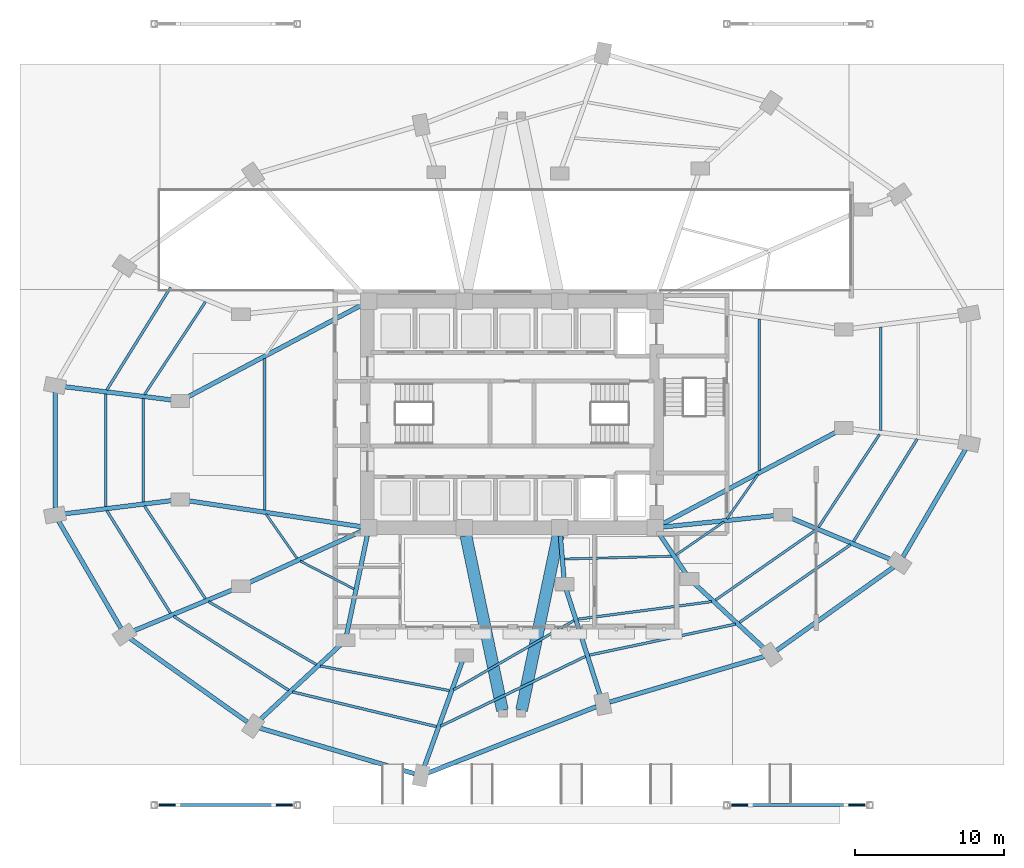
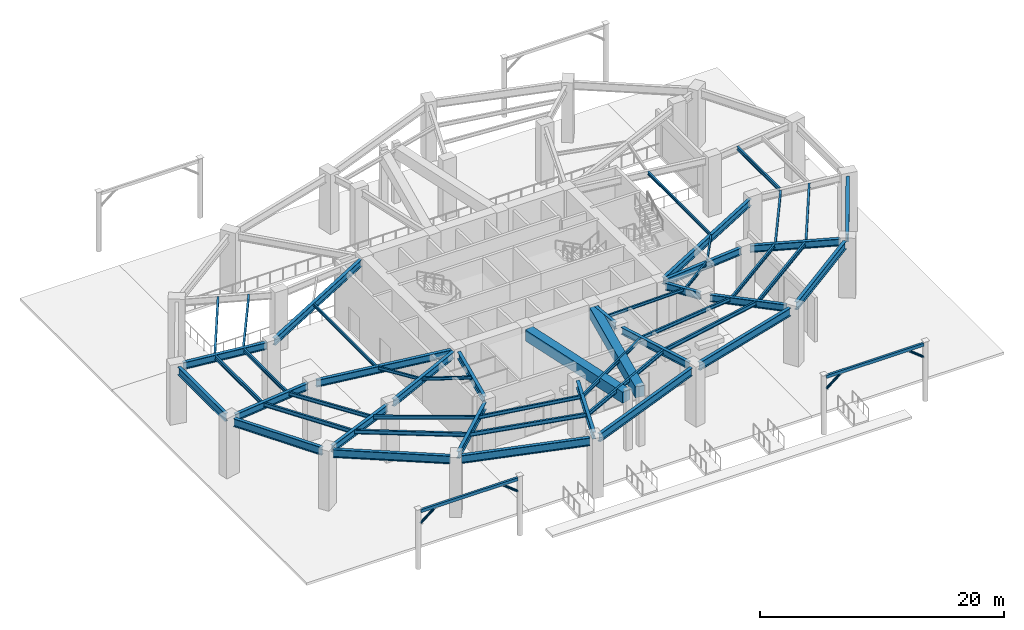
# One storey, part 5 of 14: 54 beams, 4 members.
"""IFC4 building model written with IfcOpenShell, lengths in metres."""

from ifc_helpers import new_model, si_unit, direction, frame, origin, origin_2d, place, context, subcontext, project, spatial, rectangle, hollow_rectangle, hollow_circle, i_section, extrude, material, material_profile, profile_set, type_object, element, save


model = new_model("IFC4")

# Units and contexts
model_context = context("Model", 3, precision=1e-05, world=origin(), true_north=direction((0.0, 1.0)))
body_context = subcontext(model_context, "Body", "Model", "MODEL_VIEW")
ifc_project = project(units=[si_unit("LENGTHUNIT", "METRE"), si_unit("AREAUNIT", "SQUARE_METRE"), si_unit("VOLUMEUNIT", "CUBIC_METRE"), si_unit("PLANEANGLEUNIT", "RADIAN"), si_unit("MASSUNIT", "GRAM", prefix="KILO")], contexts=[model_context])

# Site, building, storey
site_placement = place(None, origin())
site = spatial("IfcSite", under=ifc_project, at=site_placement, CompositionType="ELEMENT")
building_placement = place(site_placement, origin())
building = spatial("IfcBuilding", under=site, at=building_placement, Name="Lazwardi Medical Tower", CompositionType="ELEMENT")
storey_placement = place(building_placement, origin())
storey = spatial("IfcBuildingStorey", under=building, at=storey_placement, Name="L00", CompositionType="ELEMENT", Elevation=0.0)

# Beams
ifc_material_1 = material(Name="Concrete C70/85", Category="concrete")
ifc_material_profile_1 = material_profile(ifc_material_1, rectangle(XDim=0.800048828125, YDim=1.10009765625, at=origin_2d()), Name="RC 800x1100")
ifc_profile_set_1 = profile_set([ifc_material_profile_1], Name="Concrete C70/85")
beam_type_1 = type_object("IfcBeamType", Name="BM-CB-RC1", PredefinedType="LINTEL", material=ifc_profile_set_1)
for number, where, z_axis, x_axis, name in (
    (1, (32.909423828125, 19.876220703125, 5.169921875), (0.204429747009, -0.978881238219, 0.0), (0.978881238219, 0.204429747009, 0.0), "Core coupling lintel CB-01 PL3 L00"),
    (2, (39.090576171875, 19.876220703125, 5.169921875), (-0.204429747009, -0.978881238219, 0.0), (0.978881238219, -0.204429747009, 0.0), "Core coupling lintel CB-01 PL4 L00"),
):
    element("IfcBeam", number, at=place(storey_placement, frame(where, z_axis=z_axis, x_axis=x_axis)), inside=storey, type_object=beam_type_1, Name=name, PredefinedType="LINTEL", context=body_context, shape_type="SweptSolid", body=[
        extrude(rectangle(XDim=0.800048828125, YDim=1.10009765625, at=origin_2d()), origin(), (0.0, 0.0, 1.0), 11.9736328125),
    ])
ifc_material_2 = material(Name="Steel S355", Category="steel")
ifc_material_profile_2 = material_profile(ifc_material_2, hollow_rectangle(XDim=0.199951171875, YDim=0.300048828125, WallThickness=0.012451171875, at=origin_2d()), Name="RHS 300x200x12.5")
ifc_profile_set_2 = profile_set([ifc_material_profile_2], Name="Steel S355")
beam_type_2 = type_object("IfcBeamType", Name="BM-CN-01", PredefinedType="BEAM", material=ifc_profile_set_2)
for number, where, z_axis, x_axis, name in (
    (3, (12.199951171875, 1.800048828125, 5.64990234375), (1.0, 0.0, 0.0), (0.0, 1.0, 0.0), "Entrance canopy beam CN-B1 CNB1"),
    (4, (50.60009765625, 1.800048828125, 5.64990234375), (1.0, 0.0, 0.0), (0.0, 1.0, 0.0), "Entrance canopy beam CN-B1 CNB2"),
):
    element("IfcBeam", number, at=place(storey_placement, frame(where, z_axis=z_axis, x_axis=x_axis)), inside=storey, type_object=beam_type_2, Name=name, PredefinedType="BEAM", context=body_context, shape_type="SweptSolid", body=[
        extrude(hollow_rectangle(XDim=0.199951171875, YDim=0.300048828125, WallThickness=0.012451171875, at=origin_2d()), origin(), (0.0, 0.0, 1.0), 9.199951171875),
    ])
ifc_material_profile_3 = material_profile(ifc_material_2, i_section(OverallWidth=0.300048828125, OverallDepth=0.800048828125, WebThickness=0.017578125, FlangeThickness=0.032958984375, at=origin_2d()), Name="HEB 800")
ifc_profile_set_3 = profile_set([ifc_material_profile_3], Name="Steel S355")
beam_type_3 = type_object("IfcBeamType", Name="BM-RB-P1", PredefinedType="BEAM", material=ifc_profile_set_3)
beam_1_placement = place(storey_placement, frame((42.54736328125, 8.71044921875, 5.320068359375), z_axis=(0.959157275854, 0.282873328852, 0.0), x_axis=(-0.282873328852, 0.959157275854, 0.0)))
element("IfcBeam", 5, at=beam_1_placement, inside=storey, type_object=beam_type_3, Name="Ring beam RB-01 B01 L00", PredefinedType="BEAM", context=body_context, shape_type="SweptSolid", body=[
    extrude(i_section(OverallWidth=0.300048828125, OverallDepth=0.800048828125, WebThickness=0.017578125, FlangeThickness=0.032958984375, at=origin_2d()), origin(), (0.0, 0.0, 1.0), 10.804931640625),
])
beam_2_placement = place(storey_placement, frame((53.744384765625, 12.17236328125, 5.320068359375), z_axis=(0.814606597705, 0.580013871364, 0.0), x_axis=(-0.580013871364, 0.814606597705, 0.0)))
element("IfcBeam", 6, at=beam_2_placement, inside=storey, type_object=beam_type_3, Name="Ring beam RB-01 B02 L00", PredefinedType="BEAM", context=body_context, shape_type="SweptSolid", body=[
    extrude(i_section(OverallWidth=0.300048828125, OverallDepth=0.800048828125, WebThickness=0.017578125, FlangeThickness=0.032958984375, at=origin_2d()), origin(), (0.0, 0.0, 1.0), 9.644287109375),
])
beam_3_placement = place(storey_placement, frame((62.2197265625, 18.44482421875, 5.320068359375), z_axis=(0.502858581649, 0.864368698451, 0.0), x_axis=(-0.864368698451, 0.502858581649, 0.0)))
element("IfcBeam", 7, at=beam_3_placement, inside=storey, type_object=beam_type_3, Name="Ring beam RB-01 B03 L00", PredefinedType="BEAM", context=body_context, shape_type="SweptSolid", body=[
    extrude(i_section(OverallWidth=0.300048828125, OverallDepth=0.800048828125, WebThickness=0.017578125, FlangeThickness=0.032958984375, at=origin_2d()), origin(), (0.0, 0.0, 1.0), 8.339111328125),
])
beam_4_placement = place(storey_placement, frame((5.3505859375, 29.470703125, 5.320068359375), z_axis=(0.0, -1.0, 0.0), x_axis=(1.0, 0.0, 0.0)))
element("IfcBeam", 8, at=beam_4_placement, inside=storey, type_object=beam_type_3, Name="Ring beam RB-01 B12 L00", PredefinedType="BEAM", context=body_context, shape_type="SweptSolid", body=[
    extrude(i_section(OverallWidth=0.300048828125, OverallDepth=0.800048828125, WebThickness=0.017578125, FlangeThickness=0.032958984375, at=origin_2d()), origin(), (0.0, 0.0, 1.0), 7.741455078125),
])
beam_5_placement = place(storey_placement, frame((5.5869140625, 20.852783203125, 5.320068359375), z_axis=(0.502871307237, -0.864361295037, 0.0), x_axis=(0.864361295037, 0.502871307237, 0.0)))
element("IfcBeam", 9, at=beam_5_placement, inside=storey, type_object=beam_type_3, Name="Ring beam RB-01 B13 L00", PredefinedType="BEAM", context=body_context, shape_type="SweptSolid", body=[
    extrude(i_section(OverallWidth=0.300048828125, OverallDepth=0.800048828125, WebThickness=0.017578125, FlangeThickness=0.032958984375, at=origin_2d()), origin(), (0.0, 0.0, 1.0), 8.3388671875),
])
beam_6_placement = place(storey_placement, frame((10.3994140625, 12.966064453125, 5.320068359375), z_axis=(0.814606597705, -0.580013871364, 0.0), x_axis=(0.580013871364, 0.814606597705, 0.0)))
element("IfcBeam", 10, at=beam_6_placement, inside=storey, type_object=beam_type_3, Name="Ring beam RB-01 B14 L00", PredefinedType="BEAM", context=body_context, shape_type="SweptSolid", body=[
    extrude(i_section(OverallWidth=0.300048828125, OverallDepth=0.800048828125, WebThickness=0.017578125, FlangeThickness=0.032958984375, at=origin_2d()), origin(), (0.0, 0.0, 1.0), 9.644287109375),
])
beam_7_placement = place(storey_placement, frame((19.089111328125, 6.966796875, 5.320068359375), z_axis=(0.959157275854, -0.282873328852, 0.0), x_axis=(0.282873328852, 0.959157275854, 0.0)))
element("IfcBeam", 11, at=beam_7_placement, inside=storey, type_object=beam_type_3, Name="Ring beam RB-01 B15 L00", PredefinedType="BEAM", context=body_context, shape_type="SweptSolid", body=[
    extrude(i_section(OverallWidth=0.300048828125, OverallDepth=0.800048828125, WebThickness=0.017578125, FlangeThickness=0.032958984375, at=origin_2d()), origin(), (0.0, 0.0, 1.0), 10.804931640625),
])
beam_8_placement = place(storey_placement, frame((30.3408203125, 3.94970703125, 5.320068359375), z_axis=(0.930497552563, 0.366298109022, 0.0), x_axis=(-0.366298109022, 0.930497552563, 0.0)))
element("IfcBeam", 12, at=beam_8_placement, inside=storey, type_object=beam_type_3, Name="Ring beam RB-01 B16 L00", PredefinedType="BEAM", context=body_context, shape_type="SweptSolid", body=[
    extrude(i_section(OverallWidth=0.300048828125, OverallDepth=0.800048828125, WebThickness=0.017578125, FlangeThickness=0.032958984375, at=origin_2d()), origin(), (0.0, 0.0, 1.0), 12.163818359375),
])
ifc_material_profile_4 = material_profile(ifc_material_2, i_section(OverallWidth=0.300048828125, OverallDepth=0.699951171875, WebThickness=0.01708984375, FlangeThickness=0.031982421875, at=origin_2d()), Name="HEB 700")
ifc_profile_set_4 = profile_set([ifc_material_profile_4], Name="Steel S355")
beam_type_4 = type_object("IfcBeamType", Name="BM-RG-P1", PredefinedType="BEAM", material=ifc_profile_set_4)
beam_9_placement = place(storey_placement, frame((41.919677734375, 9.1298828125, 5.3701171875), z_axis=(-0.304909733537, 0.952381254747, 0.0), x_axis=(-0.952381254747, -0.304909733537, 0.0)))
element("IfcBeam", 13, at=beam_9_placement, inside=storey, type_object=beam_type_4, Name="Radial girder RG-01 R01A L00", PredefinedType="BEAM", context=body_context, shape_type="SweptSolid", body=[
    extrude(i_section(OverallWidth=0.300048828125, OverallDepth=0.699951171875, WebThickness=0.01708984375, FlangeThickness=0.031982421875, at=origin_2d()), origin(), (0.0, 0.0, 1.0), 7.4697265625),
])
beam_10_placement = place(storey_placement, frame((39.486083984375, 17.023681640625, 5.3701171875), z_axis=(-0.084447396155, 0.996427938831, 0.0), x_axis=(-0.996427938831, -0.084447396155, 0.0)))
element("IfcBeam", 14, at=beam_10_placement, inside=storey, type_object=beam_type_4, Name="Radial girder RG-01 R01B L00", PredefinedType="BEAM", context=body_context, shape_type="SweptSolid", body=[
    extrude(i_section(OverallWidth=0.300048828125, OverallDepth=0.699951171875, WebThickness=0.01708984375, FlangeThickness=0.031982421875, at=origin_2d()), origin(), (0.0, 0.0, 1.0), 2.853515625),
])
beam_11_placement = place(storey_placement, frame((52.9365234375, 12.29443359375, 5.3701171875), z_axis=(-0.732676581902, 0.68057698046, 0.0), x_axis=(-0.68057698046, -0.732676581902, 0.0)))
element("IfcBeam", 15, at=beam_11_placement, inside=storey, type_object=beam_type_4, Name="Radial girder RG-01 R02A L00", PredefinedType="BEAM", context=body_context, shape_type="SweptSolid", body=[
    extrude(i_section(OverallWidth=0.300048828125, OverallDepth=0.699951171875, WebThickness=0.01708984375, FlangeThickness=0.031982421875, at=origin_2d()), origin(), (0.0, 0.0, 1.0), 6.471435546875),
])
beam_12_placement = place(storey_placement, frame((47.678955078125, 17.302978515625, 5.3701171875), z_axis=(-0.557342392299, 0.830282757708, 0.0), x_axis=(-0.830282757708, -0.557342392299, 0.0)))
element("IfcBeam", 16, at=beam_12_placement, inside=storey, type_object=beam_type_4, Name="Radial girder RG-01 R02B L00", PredefinedType="BEAM", context=body_context, shape_type="SweptSolid", body=[
    extrude(i_section(OverallWidth=0.300048828125, OverallDepth=0.699951171875, WebThickness=0.01708984375, FlangeThickness=0.031982421875, at=origin_2d()), origin(), (0.0, 0.0, 1.0), 3.195068359375),
])
beam_13_placement = place(storey_placement, frame((61.447509765625, 18.2607421875, 5.3701171875), z_axis=(-0.923712783484, 0.383085752318, 0.0), x_axis=(-0.383085752318, -0.923712783484, 0.0)))
element("IfcBeam", 17, at=beam_13_placement, inside=storey, type_object=beam_type_4, Name="Radial girder RG-01 R03A L00", PredefinedType="BEAM", context=body_context, shape_type="SweptSolid", body=[
    extrude(i_section(OverallWidth=0.300048828125, OverallDepth=0.699951171875, WebThickness=0.01708984375, FlangeThickness=0.031982421875, at=origin_2d()), origin(), (0.0, 0.0, 1.0), 7.47119140625),
])
beam_14_placement = place(storey_placement, frame((53.779052734375, 21.2353515625, 5.3701171875), z_axis=(-0.994824908551, -0.101604140299, 0.0), x_axis=(0.101604140299, -0.994824908551, 0.0)))
element("IfcBeam", 18, at=beam_14_placement, inside=storey, type_object=beam_type_4, Name="Radial girder RG-01 R03B L00", PredefinedType="BEAM", context=body_context, shape_type="SweptSolid", body=[
    extrude(i_section(OverallWidth=0.300048828125, OverallDepth=0.699951171875, WebThickness=0.01708984375, FlangeThickness=0.031982421875, at=origin_2d()), origin(), (0.0, 0.0, 1.0), 7.686767578125),
])
beam_15_placement = place(storey_placement, frame((57.909423828125, 26.906982421875, 5.3701171875), z_axis=(-0.884073844977, -0.467347233466, 0.0), x_axis=(0.467347233466, -0.884073844977, 0.0)))
element("IfcBeam", 19, at=beam_15_placement, inside=storey, type_object=beam_type_4, Name="Radial girder RG-01 R04B L00", PredefinedType="BEAM", context=body_context, shape_type="SweptSolid", body=[
    extrude(i_section(OverallWidth=0.300048828125, OverallDepth=0.699951171875, WebThickness=0.01708984375, FlangeThickness=0.031982421875, at=origin_2d()), origin(), (0.0, 0.0, 1.0), 13.388427734375),
])
beam_16_placement = place(storey_placement, frame((5.926025390625, 29.869873046875, 5.3701171875), z_axis=(0.992473718921, -0.122457818256, 0.0), x_axis=(0.122457818256, 0.992473718921, 0.0)))
element("IfcBeam", 20, at=beam_16_placement, inside=storey, type_object=beam_type_4, Name="Radial girder RG-01 R12A L00", PredefinedType="BEAM", context=body_context, shape_type="SweptSolid", body=[
    extrude(i_section(OverallWidth=0.300048828125, OverallDepth=0.699951171875, WebThickness=0.01708984375, FlangeThickness=0.031982421875, at=origin_2d()), origin(), (0.0, 0.0, 1.0), 7.47021484375),
])
beam_17_placement = place(storey_placement, frame((14.090576171875, 29.093017578125, 5.3701171875), z_axis=(0.884073844977, 0.467347233466, 0.0), x_axis=(-0.467347233466, 0.884073844977, 0.0)))
element("IfcBeam", 21, at=beam_17_placement, inside=storey, type_object=beam_type_4, Name="Radial girder RG-01 R12B L00", PredefinedType="BEAM", context=body_context, shape_type="SweptSolid", body=[
    extrude(i_section(OverallWidth=0.300048828125, OverallDepth=0.699951171875, WebThickness=0.01708984375, FlangeThickness=0.031982421875, at=origin_2d()), origin(), (0.0, 0.0, 1.0), 13.388427734375),
])
beam_18_placement = place(storey_placement, frame((5.926025390625, 21.330078125, 5.3701171875), z_axis=(0.992469746422, 0.122490009536, 0.0), x_axis=(-0.122490009536, 0.992469746422, 0.0)))
element("IfcBeam", 22, at=beam_18_placement, inside=storey, type_object=beam_type_4, Name="Radial girder RG-01 R13A L00", PredefinedType="BEAM", context=body_context, shape_type="SweptSolid", body=[
    extrude(i_section(OverallWidth=0.300048828125, OverallDepth=0.699951171875, WebThickness=0.01708984375, FlangeThickness=0.031982421875, at=origin_2d()), origin(), (0.0, 0.0, 1.0), 7.47021484375),
])
beam_19_placement = place(storey_placement, frame((14.132568359375, 22.23486328125, 5.3701171875), z_axis=(0.988996622553, -0.147938097117, 0.0), x_axis=(0.147938097117, 0.988996622553, 0.0)))
element("IfcBeam", 23, at=beam_19_placement, inside=storey, type_object=beam_type_4, Name="Radial girder RG-01 R13B L00", PredefinedType="BEAM", context=body_context, shape_type="SweptSolid", body=[
    extrude(i_section(OverallWidth=0.300048828125, OverallDepth=0.699951171875, WebThickness=0.01708984375, FlangeThickness=0.031982421875, at=origin_2d()), origin(), (0.0, 0.0, 1.0), 11.868896484375),
])
beam_20_placement = place(storey_placement, frame((10.552490234375, 13.460693359375, 5.3701171875), z_axis=(0.923712783484, 0.383085752318, 0.0), x_axis=(-0.383085752318, 0.923712783484, 0.0)))
element("IfcBeam", 24, at=beam_20_placement, inside=storey, type_object=beam_type_4, Name="Radial girder RG-01 R14A L00", PredefinedType="BEAM", context=body_context, shape_type="SweptSolid", body=[
    extrude(i_section(OverallWidth=0.300048828125, OverallDepth=0.699951171875, WebThickness=0.01708984375, FlangeThickness=0.031982421875, at=origin_2d()), origin(), (0.0, 0.0, 1.0), 7.47119140625),
])
beam_21_placement = place(storey_placement, frame((18.186767578125, 16.642333984375, 5.3701171875), z_axis=(0.909345301738, 0.41604221205, 0.0), x_axis=(-0.41604221205, 0.909345301738, 0.0)))
element("IfcBeam", 25, at=beam_21_placement, inside=storey, type_object=beam_type_4, Name="Radial girder RG-01 R14B L00", PredefinedType="BEAM", context=body_context, shape_type="SweptSolid", body=[
    extrude(i_section(OverallWidth=0.300048828125, OverallDepth=0.699951171875, WebThickness=0.01708984375, FlangeThickness=0.031982421875, at=origin_2d()), origin(), (0.0, 0.0, 1.0), 8.4970703125),
])
beam_22_placement = place(storey_placement, frame((19.063232421875, 7.49462890625, 5.3701171875), z_axis=(0.732497803424, 0.680769394126, 0.0), x_axis=(-0.680769394126, 0.732497803424, 0.0)))
element("IfcBeam", 26, at=beam_22_placement, inside=storey, type_object=beam_type_4, Name="Radial girder RG-01 R15A L00", PredefinedType="BEAM", context=body_context, shape_type="SweptSolid", body=[
    extrude(i_section(OverallWidth=0.300048828125, OverallDepth=0.699951171875, WebThickness=0.01708984375, FlangeThickness=0.031982421875, at=origin_2d()), origin(), (0.0, 0.0, 1.0), 7.47119140625),
])
beam_23_placement = place(storey_placement, frame((24.910400390625, 13.24462890625, 5.3701171875), z_axis=(0.203817520402, 0.979008895964, 0.0), x_axis=(-0.979008895964, 0.203817520402, 0.0)))
element("IfcBeam", 27, at=beam_23_placement, inside=storey, type_object=beam_type_4, Name="Radial girder RG-01 R15B L00", PredefinedType="BEAM", context=body_context, shape_type="SweptSolid", body=[
    extrude(i_section(OverallWidth=0.300048828125, OverallDepth=0.699951171875, WebThickness=0.01708984375, FlangeThickness=0.031982421875, at=origin_2d()), origin(), (0.0, 0.0, 1.0), 6.773681640625),
])
beam_24_placement = place(storey_placement, frame((30.099853515625, 4.3232421875, 5.3701171875), z_axis=(0.338673803149, 0.940903850062, 0.0), x_axis=(-0.940903850062, 0.338673803149, 0.0)))
element("IfcBeam", 28, at=beam_24_placement, inside=storey, type_object=beam_type_4, Name="Radial girder RG-01 R16A L00", PredefinedType="BEAM", context=body_context, shape_type="SweptSolid", body=[
    extrude(i_section(OverallWidth=0.300048828125, OverallDepth=0.699951171875, WebThickness=0.01708984375, FlangeThickness=0.031982421875, at=origin_2d()), origin(), (0.0, 0.0, 1.0), 7.57275390625),
])
ifc_material_profile_5 = material_profile(ifc_material_2, i_section(OverallWidth=0.179931640625, OverallDepth=0.39990234375, WebThickness=0.008544921875, FlangeThickness=0.013427734375, at=origin_2d()), Name="IPE 400")
ifc_profile_set_5 = profile_set([ifc_material_profile_5], Name="Steel S355")
beam_type_5 = type_object("IfcBeamType", Name="BM-SJ-01", PredefinedType="JOIST", material=ifc_profile_set_5)
beam_25_placement = place(storey_placement, frame((41.196044921875, 11.86328125, 5.52001953125), z_axis=(0.978303353113, 0.207177579116, 0.0), x_axis=(-0.207177579116, 0.978303353113, 0.0)))
element("IfcBeam", 29, at=beam_25_placement, inside=storey, type_object=beam_type_5, Name="Secondary joist SJ-01 RO1 B01 L00", PredefinedType="JOIST", context=body_context, shape_type="SweptSolid", body=[
    extrude(i_section(OverallWidth=0.179931640625, OverallDepth=0.39990234375, WebThickness=0.008544921875, FlangeThickness=0.013427734375, at=origin_2d()), origin(), (0.0, 0.0, 1.0), 10.01416015625),
])
beam_26_placement = place(storey_placement, frame((51.253662109375, 14.05126953125, 5.52001953125), z_axis=(0.819385738417, 0.573242541756, 0.0), x_axis=(-0.573242541756, 0.819385738417, 0.0)))
element("IfcBeam", 30, at=beam_26_placement, inside=storey, type_object=beam_type_5, Name="Secondary joist SJ-01 RO1 B02 L00", PredefinedType="JOIST", context=body_context, shape_type="SweptSolid", body=[
    extrude(i_section(OverallWidth=0.179931640625, OverallDepth=0.39990234375, WebThickness=0.008544921875, FlangeThickness=0.013427734375, at=origin_2d()), origin(), (0.0, 0.0, 1.0), 9.095458984375),
])
for number, where, z_axis, x_axis, name in (
    (31, (58.901611328125, 19.471435546875, 5.52001953125), (0.527912393387, 0.849298831336, 0.0), (-0.849298831336, 0.527912393387, 0.0), "Secondary joist SJ-01 RO1 B03 L00"),
    (32, (13.098388671875, 36.528564453125, 5.52001953125), (-0.527912393387, -0.849298831336, 0.0), (0.849298831336, -0.527912393387, 0.0), "Secondary joist SJ-01 RO1 B11 L00"),
):
    element("IfcBeam", number, at=place(storey_placement, frame(where, z_axis=z_axis, x_axis=x_axis)), inside=storey, type_object=beam_type_5, Name=name, PredefinedType="JOIST", context=body_context, shape_type="SweptSolid", body=[
        extrude(i_section(OverallWidth=0.179931640625, OverallDepth=0.39990234375, WebThickness=0.008544921875, FlangeThickness=0.013427734375, at=origin_2d()), origin(), (0.0, 0.0, 1.0), 8.104736328125),
    ])
beam_27_placement = place(storey_placement, frame((8.743408203125, 29.377197265625, 5.52001953125), z_axis=(0.0, -1.0, 0.0), x_axis=(1.0, 0.0, 0.0)))
element("IfcBeam", 33, at=beam_27_placement, inside=storey, type_object=beam_type_5, Name="Secondary joist SJ-01 RO1 B12 L00", PredefinedType="JOIST", context=body_context, shape_type="SweptSolid", body=[
    extrude(i_section(OverallWidth=0.179931640625, OverallDepth=0.39990234375, WebThickness=0.008544921875, FlangeThickness=0.013427734375, at=origin_2d()), origin(), (0.0, 0.0, 1.0), 7.554443359375),
])
beam_28_placement = place(storey_placement, frame((8.81982421875, 21.5546875, 5.52001953125), z_axis=(0.527912393387, -0.849298831336, 0.0), x_axis=(0.849298831336, 0.527912393387, 0.0)))
element("IfcBeam", 34, at=beam_28_placement, inside=storey, type_object=beam_type_5, Name="Secondary joist SJ-01 RO1 B13 L00", PredefinedType="JOIST", context=body_context, shape_type="SweptSolid", body=[
    extrude(i_section(OverallWidth=0.179931640625, OverallDepth=0.39990234375, WebThickness=0.008544921875, FlangeThickness=0.013427734375, at=origin_2d()), origin(), (0.0, 0.0, 1.0), 8.104736328125),
])
beam_29_placement = place(storey_placement, frame((13.296875, 14.469970703125, 5.52001953125), z_axis=(0.841235489129, -0.540668892975, 0.0), x_axis=(0.540668892975, 0.841235489129, 0.0)))
element("IfcBeam", 35, at=beam_29_placement, inside=storey, type_object=beam_type_5, Name="Secondary joist SJ-01 RO1 B14 L00", PredefinedType="JOIST", context=body_context, shape_type="SweptSolid", body=[
    extrude(i_section(OverallWidth=0.179931640625, OverallDepth=0.39990234375, WebThickness=0.008544921875, FlangeThickness=0.013427734375, at=origin_2d()), origin(), (0.0, 0.0, 1.0), 9.181884765625),
])
beam_30_placement = place(storey_placement, frame((21.283935546875, 9.393310546875, 5.52001953125), z_axis=(0.972100582902, -0.234564397812, 0.0), x_axis=(0.234564397812, 0.972100582902, 0.0)))
element("IfcBeam", 36, at=beam_30_placement, inside=storey, type_object=beam_type_5, Name="Secondary joist SJ-01 RO1 B15 L00", PredefinedType="JOIST", context=body_context, shape_type="SweptSolid", body=[
    extrude(i_section(OverallWidth=0.179931640625, OverallDepth=0.39990234375, WebThickness=0.008544921875, FlangeThickness=0.013427734375, at=origin_2d()), origin(), (0.0, 0.0, 1.0), 9.92626953125),
])
beam_31_placement = place(storey_placement, frame((31.205078125, 7.09375, 5.52001953125), z_axis=(0.901093078213, 0.433625719252, 0.0), x_axis=(-0.433625719252, 0.901093078213, 0.0)))
element("IfcBeam", 37, at=beam_31_placement, inside=storey, type_object=beam_type_5, Name="Secondary joist SJ-01 RO1 B16 L00", PredefinedType="JOIST", context=body_context, shape_type="SweptSolid", body=[
    extrude(i_section(OverallWidth=0.179931640625, OverallDepth=0.39990234375, WebThickness=0.008544921875, FlangeThickness=0.013427734375, at=origin_2d()), origin(), (0.0, 0.0, 1.0), 10.78515625),
])
ifc_material_profile_6 = material_profile(ifc_material_2, i_section(OverallWidth=0.169921875, OverallDepth=0.360107421875, WebThickness=0.008056640625, FlangeThickness=0.0126953125, at=origin_2d()), Name="IPE 360")
ifc_profile_set_6 = profile_set([ifc_material_profile_6], Name="Steel S355")
beam_type_6 = type_object("IfcBeamType", Name="BM-SJ-02", PredefinedType="JOIST", material=ifc_profile_set_6)
beam_32_placement = place(storey_placement, frame((40.423583984375, 14.27099609375, 5.5400390625), z_axis=(0.991490781347, 0.130176920012, 0.0), x_axis=(-0.130176920012, 0.991490781347, 0.0)))
element("IfcBeam", 38, at=beam_32_placement, inside=storey, type_object=beam_type_6, Name="Secondary joist SJ-02 RO2 B01 L00", PredefinedType="JOIST", context=body_context, shape_type="SweptSolid", body=[
    extrude(i_section(OverallWidth=0.169921875, OverallDepth=0.360107421875, WebThickness=0.008056640625, FlangeThickness=0.0126953125, at=origin_2d()), origin(), (0.0, 0.0, 1.0), 9.0322265625),
])
beam_33_placement = place(storey_placement, frame((49.6416015625, 15.548583984375, 5.5400390625), z_axis=(0.819981569059, 0.572389925142, 0.0), x_axis=(-0.572389925142, 0.819981569059, 0.0)))
element("IfcBeam", 39, at=beam_33_placement, inside=storey, type_object=beam_type_6, Name="Secondary joist SJ-02 RO2 B02 L00", PredefinedType="JOIST", context=body_context, shape_type="SweptSolid", body=[
    extrude(i_section(OverallWidth=0.169921875, OverallDepth=0.360107421875, WebThickness=0.008056640625, FlangeThickness=0.0126953125, at=origin_2d()), origin(), (0.0, 0.0, 1.0), 8.193115234375),
])
beam_34_placement = place(storey_placement, frame((56.55859375, 20.442626953125, 5.5400390625), z_axis=(0.54982225196, 0.835281683775, 0.0), x_axis=(-0.835281683775, 0.54982225196, 0.0)))
element("IfcBeam", 40, at=beam_34_placement, inside=storey, type_object=beam_type_6, Name="Secondary joist SJ-02 RO2 B03 L00", PredefinedType="JOIST", context=body_context, shape_type="SweptSolid", body=[
    extrude(i_section(OverallWidth=0.169921875, OverallDepth=0.360107421875, WebThickness=0.008056640625, FlangeThickness=0.0126953125, at=origin_2d()), origin(), (0.0, 0.0, 1.0), 7.45263671875),
])
beam_35_placement = place(storey_placement, frame((60.73583984375, 26.933837890625, 5.5400390625), z_axis=(0.0, 1.0, 0.0), x_axis=(-1.0, 0.0, 0.0)))
element("IfcBeam", 41, at=beam_35_placement, inside=storey, type_object=beam_type_6, Name="Secondary joist SJ-02 RO2 B04 L00", PredefinedType="JOIST", context=body_context, shape_type="SweptSolid", body=[
    extrude(i_section(OverallWidth=0.169921875, OverallDepth=0.360107421875, WebThickness=0.008056640625, FlangeThickness=0.0126953125, at=origin_2d()), origin(), (0.0, 0.0, 1.0), 6.932373046875),
])
beam_36_placement = place(storey_placement, frame((15.44140625, 35.557373046875, 5.5400390625), z_axis=(-0.54982225196, -0.835281683775, 0.0), x_axis=(0.835281683775, -0.54982225196, 0.0)))
element("IfcBeam", 42, at=beam_36_placement, inside=storey, type_object=beam_type_6, Name="Secondary joist SJ-02 RO2 B11 L00", PredefinedType="JOIST", context=body_context, shape_type="SweptSolid", body=[
    extrude(i_section(OverallWidth=0.169921875, OverallDepth=0.360107421875, WebThickness=0.008056640625, FlangeThickness=0.0126953125, at=origin_2d()), origin(), (0.0, 0.0, 1.0), 7.45263671875),
])
beam_37_placement = place(storey_placement, frame((11.26416015625, 29.066162109375, 5.5400390625), z_axis=(0.0, -1.0, 0.0), x_axis=(1.0, 0.0, 0.0)))
element("IfcBeam", 43, at=beam_37_placement, inside=storey, type_object=beam_type_6, Name="Secondary joist SJ-02 RO2 B12 L00", PredefinedType="JOIST", context=body_context, shape_type="SweptSolid", body=[
    extrude(i_section(OverallWidth=0.169921875, OverallDepth=0.360107421875, WebThickness=0.008056640625, FlangeThickness=0.0126953125, at=origin_2d()), origin(), (0.0, 0.0, 1.0), 6.932373046875),
])
beam_38_placement = place(storey_placement, frame((11.34375, 21.86767578125, 5.5400390625), z_axis=(0.54982225196, -0.835281683775, 0.0), x_axis=(0.835281683775, 0.54982225196, 0.0)))
element("IfcBeam", 44, at=beam_38_placement, inside=storey, type_object=beam_type_6, Name="Secondary joist SJ-02 RO2 B13 L00", PredefinedType="JOIST", context=body_context, shape_type="SweptSolid", body=[
    extrude(i_section(OverallWidth=0.169921875, OverallDepth=0.360107421875, WebThickness=0.008056640625, FlangeThickness=0.0126953125, at=origin_2d()), origin(), (0.0, 0.0, 1.0), 7.45263671875),
])
beam_39_placement = place(storey_placement, frame((15.646484375, 15.448486328125, 5.5400390625), z_axis=(0.863772555167, -0.503881903764, 0.0), x_axis=(0.503881903764, 0.863772555167, 0.0)))
element("IfcBeam", 45, at=beam_39_placement, inside=storey, type_object=beam_type_6, Name="Secondary joist SJ-02 RO2 B14 L00", PredefinedType="JOIST", context=body_context, shape_type="SweptSolid", body=[
    extrude(i_section(OverallWidth=0.169921875, OverallDepth=0.360107421875, WebThickness=0.008056640625, FlangeThickness=0.0126953125, at=origin_2d()), origin(), (0.0, 0.0, 1.0), 8.37255859375),
])
beam_40_placement = place(storey_placement, frame((23.14599609375, 11.12939453125, 5.5400390625), z_axis=(0.982348020969, -0.187062464698, 0.0), x_axis=(0.187062464698, 0.982348020969, 0.0)))
element("IfcBeam", 46, at=beam_40_placement, inside=storey, type_object=beam_type_6, Name="Secondary joist SJ-02 RO2 B15 L00", PredefinedType="JOIST", context=body_context, shape_type="SweptSolid", body=[
    extrude(i_section(OverallWidth=0.169921875, OverallDepth=0.360107421875, WebThickness=0.008056640625, FlangeThickness=0.0126953125, at=origin_2d()), origin(), (0.0, 0.0, 1.0), 8.8134765625),
])
beam_41_placement = place(storey_placement, frame((32.072021484375, 9.52587890625, 5.5400390625), z_axis=(0.866598444272, 0.499006148644, 0.0), x_axis=(-0.499006148644, 0.866598444272, 0.0)))
element("IfcBeam", 47, at=beam_41_placement, inside=storey, type_object=beam_type_6, Name="Secondary joist SJ-02 RO2 B16 L00", PredefinedType="JOIST", context=body_context, shape_type="SweptSolid", body=[
    extrude(i_section(OverallWidth=0.169921875, OverallDepth=0.360107421875, WebThickness=0.008056640625, FlangeThickness=0.0126953125, at=origin_2d()), origin(), (0.0, 0.0, 1.0), 9.326171875),
])
ifc_material_profile_7 = material_profile(ifc_material_2, i_section(OverallWidth=0.14990234375, OverallDepth=0.300048828125, WebThickness=0.007080078125, FlangeThickness=0.0107421875, at=origin_2d()), Name="IPE 300")
ifc_profile_set_7 = profile_set([ifc_material_profile_7], Name="Steel S355")
beam_type_7 = type_object("IfcBeamType", Name="BM-SJ-03", PredefinedType="JOIST", material=ifc_profile_set_7)
beam_42_placement = place(storey_placement, frame((39.522705078125, 18.306884765625, 5.570068359375), z_axis=(0.999666407712, 0.025827762058, 0.0), x_axis=(-0.025827762058, 0.999666407712, 0.0)))
element("IfcBeam", 48, at=beam_42_placement, inside=storey, type_object=beam_type_7, Name="Secondary joist SJ-03 RI1 B01 L00", PredefinedType="JOIST", context=body_context, shape_type="SweptSolid", body=[
    extrude(i_section(OverallWidth=0.14990234375, OverallDepth=0.300048828125, WebThickness=0.007080078125, FlangeThickness=0.0107421875, at=origin_2d()), origin(), (0.0, 0.0, 1.0), 7.21240234375),
])
beam_43_placement = place(storey_placement, frame((46.9970703125, 18.5791015625, 5.570068359375), z_axis=(0.823125311201, 0.567859773237, 0.0), x_axis=(-0.567859773237, 0.823125311201, 0.0)))
element("IfcBeam", 49, at=beam_43_placement, inside=storey, type_object=beam_type_7, Name="Secondary joist SJ-03 RI1 B02 L00", PredefinedType="JOIST", context=body_context, shape_type="SweptSolid", body=[
    extrude(i_section(OverallWidth=0.14990234375, OverallDepth=0.300048828125, WebThickness=0.007080078125, FlangeThickness=0.0107421875, at=origin_2d()), origin(), (0.0, 0.0, 1.0), 3.91357421875),
])
beam_44_placement = place(storey_placement, frame((50.421142578125, 21.002685546875, 5.570068359375), z_axis=(0.573439745267, 0.819247739422, 0.0), x_axis=(-0.819247739422, 0.573439745267, 0.0)))
element("IfcBeam", 50, at=beam_44_placement, inside=storey, type_object=beam_type_7, Name="Secondary joist SJ-03 RI1 B03 L00", PredefinedType="JOIST", context=body_context, shape_type="SweptSolid", body=[
    extrude(i_section(OverallWidth=0.14990234375, OverallDepth=0.300048828125, WebThickness=0.007080078125, FlangeThickness=0.0107421875, at=origin_2d()), origin(), (0.0, 0.0, 1.0), 3.625244140625),
])
for number, where, z_axis, x_axis, name in (
    (51, (52.5830078125, 24.236328125, 5.570068359375), (0.000215967168, 0.999999976679, 0.0), (-0.999999976679, 0.000215967168, 0.0), "Secondary joist SJ-03 RI1 B04 L00"),
    (52, (19.4169921875, 31.763671875, 5.570068359375), (-0.000215967168, -0.999999976679, 0.0), (0.999999976679, -0.000215967168, 0.0), "Secondary joist SJ-03 RI1 B12 L00"),
):
    element("IfcBeam", number, at=place(storey_placement, frame(where, z_axis=z_axis, x_axis=x_axis)), inside=storey, type_object=beam_type_7, Name=name, PredefinedType="JOIST", context=body_context, shape_type="SweptSolid", body=[
        extrude(i_section(OverallWidth=0.14990234375, OverallDepth=0.300048828125, WebThickness=0.007080078125, FlangeThickness=0.0107421875, at=origin_2d()), origin(), (0.0, 0.0, 1.0), 10.174072265625),
    ])
beam_45_placement = place(storey_placement, frame((19.498046875, 21.325927734375, 5.570068359375), z_axis=(0.573579674623, -0.819149776817, 0.0), x_axis=(0.819149776817, 0.573579674623, 0.0)))
element("IfcBeam", 53, at=beam_45_placement, inside=storey, type_object=beam_type_7, Name="Secondary joist SJ-03 RI1 B13 L00", PredefinedType="JOIST", context=body_context, shape_type="SweptSolid", body=[
    extrude(i_section(OverallWidth=0.14990234375, OverallDepth=0.300048828125, WebThickness=0.007080078125, FlangeThickness=0.0107421875, at=origin_2d()), origin(), (0.0, 0.0, 1.0), 3.630859375),
])
beam_46_placement = place(storey_placement, frame((21.79248046875, 18.16650390625, 5.570068359375), z_axis=(0.887861727128, -0.460110370999, 0.0), x_axis=(0.460110370999, 0.887861727128, 0.0)))
element("IfcBeam", 54, at=beam_46_placement, inside=storey, type_object=beam_type_7, Name="Secondary joist SJ-03 RI1 B14 L00", PredefinedType="JOIST", context=body_context, shape_type="SweptSolid", body=[
    extrude(i_section(OverallWidth=0.14990234375, OverallDepth=0.300048828125, WebThickness=0.007080078125, FlangeThickness=0.0107421875, at=origin_2d()), origin(), (0.0, 0.0, 1.0), 4.066650390625),
])

# Members
ifc_material_profile_8 = material_profile(ifc_material_2, hollow_circle(Radius=0.109619140625, WallThickness=0.010009765625, at=origin_2d()), Name="CHS 219.1x10")
ifc_profile_set_8 = profile_set([ifc_material_profile_8], Name="Steel S355")
member_type = type_object("IfcMemberType", Name="MEM-CN-BR", PredefinedType="BRACE", material=ifc_profile_set_8)
for number, where, z_axis, x_axis, name in (
    (55, (12.195068359375, 1.800048828125, 4.39990234375), (0.786038628133, 0.0, 0.618177381569), (0.0, 1.0, 0.0), "Entrance canopy brace CN-BR1 CNB1A"),
    (56, (21.405029296875, 1.800048828125, 4.39990234375), (-0.786038628133, 0.0, 0.618177381569), (0.0, -1.0, 0.0), "Entrance canopy brace CN-BR1 CNB1B"),
    (57, (50.594970703125, 1.800048828125, 4.39990234375), (0.786038628133, 0.0, 0.618177381569), (0.0, 1.0, 0.0), "Entrance canopy brace CN-BR1 CNB2A"),
    (58, (59.804931640625, 1.800048828125, 4.39990234375), (-0.786038628133, 0.0, 0.618177381569), (0.0, -1.0, 0.0), "Entrance canopy brace CN-BR1 CNB2B"),
):
    element("IfcMember", number, at=place(storey_placement, frame(where, z_axis=z_axis, x_axis=x_axis)), inside=storey, type_object=member_type, Name=name, PredefinedType="BRACE", context=body_context, shape_type="SweptSolid", body=[
        extrude(hollow_circle(Radius=0.109619140625, WallThickness=0.010009765625, at=origin_2d()), origin(), (0.0, 0.0, 1.0), 1.78759765625),
    ])

save(model, "model.ifc")
